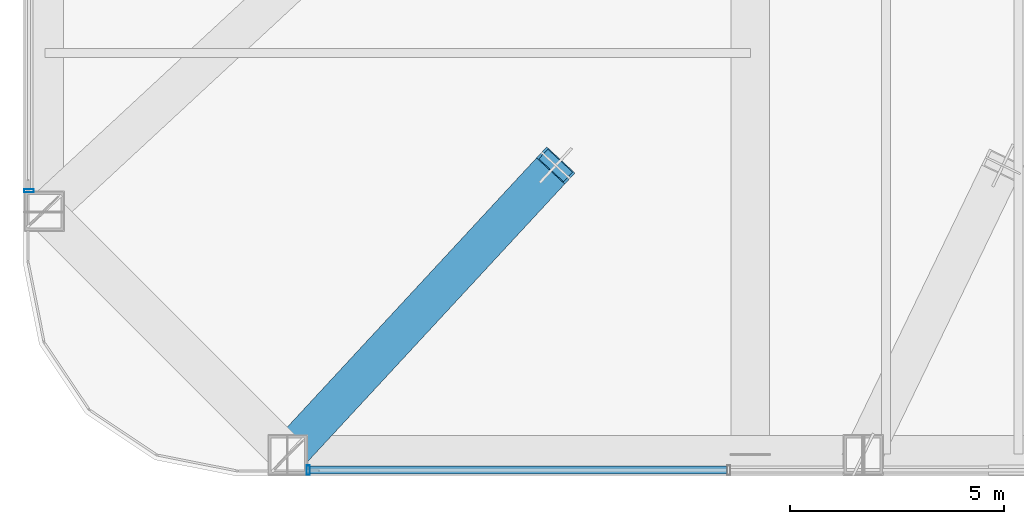
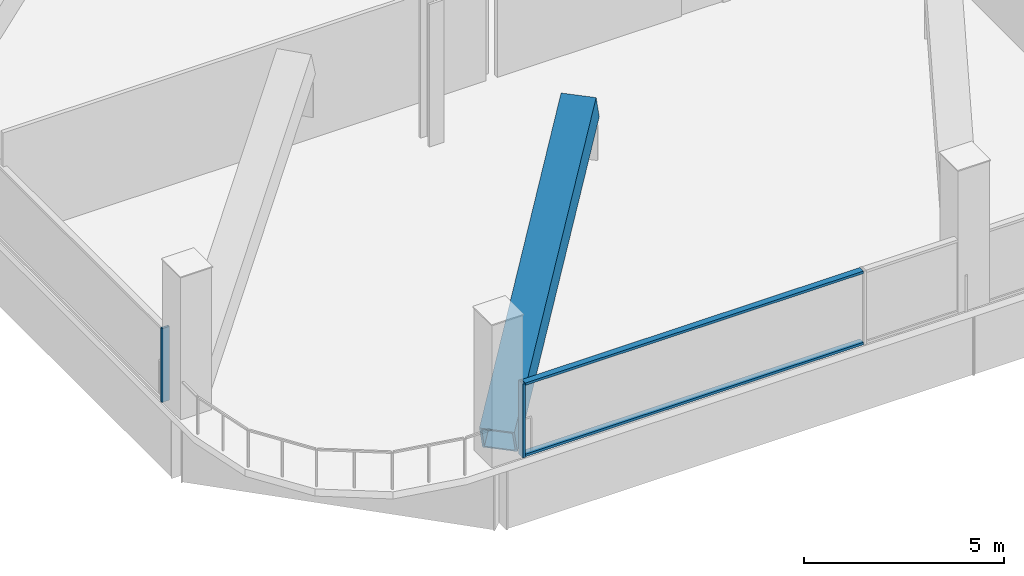
# One storey, part 2 of 38: 5 members, 2 elements without a shape of their own.
"""IFC4 building model written with IfcOpenShell, lengths in metres."""

import ifcopenshell
import ifcopenshell.guid

model = None  # the IFC model being written
_history = None  # IfcOwnerHistory: only IFC2X3 demands one
_inside = {}  # id of a spatial element -> (the spatial element, [elements in it])
_under = {}  # id of a project, library or spatial element -> (it, [spatial elements below it])
_declared = {}  # id of a project -> (the project, [libraries it declares])
_typed = {}  # id of a type object -> (the type object, [elements of that type])
_made_of = {}  # id of a material, layer set ... -> (it, [elements and type objects made of it])


def new_model(schema):
    """Start an empty IFC model of exactly this schema.

    Asked for "IFC4X3", IfcOpenShell would pick the latest addendum, in which some entities
    have other attributes; the version numbers below select the first issue.
    IFC2X3 requires an IfcOwnerHistory on every rooted entity: one is made here for all.
    """
    global model, _history
    if schema == "IFC4X3":
        model = ifcopenshell.file(schema_version=(4, 3, 0, 0))
    else:
        model = ifcopenshell.file(schema=schema)
    _inside.clear()
    _under.clear()
    _declared.clear()
    _typed.clear()
    _made_of.clear()
    _history = None
    if model.schema == "IFC2X3":
        org = make("IfcOrganization", Name="unknown")
        user = make(
            "IfcPersonAndOrganization",
            ThePerson=make("IfcPerson", FamilyName="unknown"),
            TheOrganization=org,
        )
        app = make(
            "IfcApplication",
            ApplicationDeveloper=org,
            Version="unknown",
            ApplicationFullName="unknown",
            ApplicationIdentifier="unknown",
        )
        _history = make(
            "IfcOwnerHistory",
            OwningUser=user,
            OwningApplication=app,
            ChangeAction="ADDED",
            CreationDate=0,
        )
    return model


def make(cls, **values):
    """One entity of the class cls with the attributes given. An attribute that is None is left unset."""
    return model.create_entity(
        cls, **{name: value for name, value in values.items() if value is not None}
    )


def rooted(cls, **values):
    """An entity with a GlobalId (a new one), such as an element, a storey or a relation."""
    return make(cls, GlobalId=ifcopenshell.guid.new(), OwnerHistory=_history, **values)


def si_unit(unit_type, name, prefix=None):
    """IfcSIUnit, for example si_unit("LENGTHUNIT", "METRE", prefix="MILLI")."""
    return make("IfcSIUnit", UnitType=unit_type, Prefix=prefix, Name=name)


def assignment(units):
    """IfcUnitAssignment: the units of a project."""
    return None if units is None else make("IfcUnitAssignment", Units=units)


def point(xyz):
    """IfcCartesianPoint."""
    return None if xyz is None else make("IfcCartesianPoint", Coordinates=xyz)


def direction(xyz):
    """IfcDirection."""
    return None if xyz is None else make("IfcDirection", DirectionRatios=xyz)


def frame(location, z_axis=None, x_axis=None):
    """IfcAxis2Placement3D, a coordinate frame: its origin and axes. An axis left out is left unset."""
    return make(
        "IfcAxis2Placement3D",
        Location=point(location),
        Axis=direction(z_axis),
        RefDirection=direction(x_axis),
    )


def frame_2d(location, x_axis=None):
    """IfcAxis2Placement2D, a coordinate frame in the plane: its origin and x axis."""
    return make(
        "IfcAxis2Placement2D", Location=point(location), RefDirection=direction(x_axis)
    )


def origin():
    """The frame at (0, 0, 0) with its axes left unset."""
    return frame((0.0, 0.0, 0.0))


def origin_2d():
    """The frame at (0, 0) in the plane with its x axis left unset."""
    return frame_2d((0.0, 0.0))


def place(relative_to, where):
    """IfcLocalPlacement: puts the frame where relative to a parent placement (None: the world)."""
    return make(
        "IfcLocalPlacement", PlacementRelTo=relative_to, RelativePlacement=where
    )


def context(
    kind, dimensions, precision=None, world=None, true_north=None, identifier=None
):
    """IfcGeometricRepresentationContext, for example the 3D "Model" context."""
    return make(
        "IfcGeometricRepresentationContext",
        ContextIdentifier=identifier,
        ContextType=kind,
        CoordinateSpaceDimension=dimensions,
        Precision=precision,
        WorldCoordinateSystem=world,
        TrueNorth=true_north,
    )


def subcontext(parent, identifier, kind, view, scale=None):
    """IfcGeometricRepresentationSubContext, for example "Body" below "Model"."""
    return make(
        "IfcGeometricRepresentationSubContext",
        ContextIdentifier=identifier,
        ContextType=kind,
        ParentContext=parent,
        TargetScale=scale,
        TargetView=view,
    )


def project(units=None, contexts=None):
    """IfcProject with its units and contexts."""
    return rooted(
        "IfcProject",
        Name="project",
        RepresentationContexts=contexts,
        UnitsInContext=assignment(units),
    )


def spatial(cls, under=None, at=None, **own):
    """A site, building, storey or space (cls), placed at a placement, below another one or the project."""
    s = rooted(cls, ObjectPlacement=at, **own)
    if under is not None:
        _under.setdefault(under.id(), (under, []))[1].append(s)
    return s


def profile(cls, at=None, kind="AREA", **sizes):
    """A parametric profile (cls). Its sizes go by their IFC names, for example OverallWidth=200.0."""
    return make(cls, ProfileType=kind, Position=at, **sizes)


def hollow_rectangle(**sizes):
    """IfcRectangleHollowProfileDef."""
    return profile("IfcRectangleHollowProfileDef", **sizes)


def extrude(swept, where, along, depth):
    """IfcExtrudedAreaSolid: the profile swept, set in the frame where, extruded along a direction by depth."""
    return make(
        "IfcExtrudedAreaSolid",
        SweptArea=swept,
        Position=where,
        ExtrudedDirection=direction(along),
        Depth=depth,
    )


def shape(context_of_items, identifier, shape_type, items):
    """IfcShapeRepresentation: the items that make up one representation, for example the "Body"."""
    return make(
        "IfcShapeRepresentation",
        ContextOfItems=context_of_items,
        RepresentationIdentifier=identifier,
        RepresentationType=shape_type,
        Items=items,
    )


def material(Name=None, Category=None):
    """IfcMaterial."""
    return make("IfcMaterial", Name=Name, Category=Category)


def layer(
    of_material, thickness, ventilated=None, Name=None, Category=None, Priority=None
):
    """IfcMaterialLayer: one layer of a wall or slab, of a material (None: an air gap)."""
    return make(
        "IfcMaterialLayer",
        Material=of_material,
        LayerThickness=thickness,
        IsVentilated=ventilated,
        Name=Name,
        Category=Category,
        Priority=Priority,
    )


def layer_set(layers, Name=None):
    """IfcMaterialLayerSet."""
    return make("IfcMaterialLayerSet", MaterialLayers=layers, LayerSetName=Name)


def material_profile(
    of_material, cross_section, Name=None, Category=None, Priority=None
):
    """IfcMaterialProfile: a cross section and its material."""
    return make(
        "IfcMaterialProfile",
        Name=Name,
        Material=of_material,
        Profile=cross_section,
        Priority=Priority,
        Category=Category,
    )


def profile_set(profiles, Name=None, composite=None):
    """IfcMaterialProfileSet."""
    return make(
        "IfcMaterialProfileSet",
        Name=Name,
        MaterialProfiles=profiles,
        CompositeProfile=composite,
    )


def made_of(thing, what):
    """Note that an element or type object is made of a material, layer set ...; save() writes the relation."""
    if what is not None:
        _made_of.setdefault(what.id(), (what, []))[1].append(thing)
    return thing


def type_object(cls, material=None, **own):
    """A type object (cls), such as IfcWallType, which elements share."""
    return made_of(rooted(cls, **own), material)


def element(
    cls,
    number,
    at=None,
    inside=None,
    cuts=None,
    type_object=None,
    material=None,
    context=None,
    identifier="Body",
    shape_type=None,
    held_by="IfcProductDefinitionShape",
    body=None,
    shapes=None,
    **own,
):
    """One element of the class cls, such as IfcWall. Its Tag is "e" and its number.

    at: its placement. inside: the storey or other place that contains it. cuts: it is an
    opening in that element (IfcRelVoidsElement). A single representation is given by context,
    identifier, shape_type and body (its items); several are given by shapes. held_by: the class
    of the entity that holds the representations. save() writes the other relations.
    """
    e = rooted(cls, Tag="e%d" % number, ObjectPlacement=at, **own)
    if body is not None:
        shapes = [shape(context, identifier, shape_type, body)]
    if shapes is not None:
        e.Representation = make(held_by, Representations=shapes)
    if inside is not None:
        _inside.setdefault(inside.id(), (inside, []))[1].append(e)
    if cuts is not None:
        rooted(
            "IfcRelVoidsElement", RelatingBuildingElement=cuts, RelatedOpeningElement=e
        )
    if type_object is not None:
        _typed.setdefault(type_object.id(), (type_object, []))[1].append(e)
    return made_of(e, material)


def aggregate(whole, parts):
    """IfcRelAggregates: a whole, such as a stair, and the parts it consists of."""
    return rooted("IfcRelAggregates", RelatingObject=whole, RelatedObjects=parts)


def save(model, path):
    """Write the relations noted so far, then the file.

    IfcRelAggregates (storeys below a building ...), IfcRelContainedInSpatialStructure (elements
    in a storey), IfcRelDefinesByType, IfcRelAssociatesMaterial and IfcRelDeclares: one each for
    every whole, place, type object, material and project.
    """
    for whole, parts in _under.values():
        aggregate(whole, parts)
    for where, things in _inside.values():
        rooted(
            "IfcRelContainedInSpatialStructure",
            RelatedElements=things,
            RelatingStructure=where,
        )
    for kind, things in _typed.values():
        rooted("IfcRelDefinesByType", RelatedObjects=things, RelatingType=kind)
    for what, things in _made_of.values():
        rooted("IfcRelAssociatesMaterial", RelatedObjects=things, RelatingMaterial=what)
    for by, libraries in _declared.values():
        rooted("IfcRelDeclares", RelatingContext=by, RelatedDefinitions=libraries)
    model.write(path)


model = new_model("IFC4")

# Units and contexts
model_context = context("Model", 3, precision=1e-05, world=origin(), true_north=direction((0.0, 1.0)))
body_context = subcontext(model_context, "Body", "Model", "MODEL_VIEW")
ifc_project = project(units=[si_unit("LENGTHUNIT", "METRE"), si_unit("AREAUNIT", "SQUARE_METRE"), si_unit("VOLUMEUNIT", "CUBIC_METRE"), si_unit("PLANEANGLEUNIT", "RADIAN"), si_unit("MASSUNIT", "GRAM", prefix="KILO")], contexts=[model_context])

# Site, building, storey
site_placement = place(None, origin())
site = spatial("IfcSite", under=ifc_project, at=site_placement, CompositionType="ELEMENT")
building_placement = place(site_placement, origin())
building = spatial("IfcBuilding", under=site, at=building_placement, Name="Qhalaya Broadcast Tower", CompositionType="ELEMENT")
storey_placement = place(building_placement, frame((0.0, 0.0, 53.550048828125)))
storey = spatial("IfcBuildingStorey", under=building, at=storey_placement, Name="L15", CompositionType="ELEMENT", Elevation=53.550048828125)

# Member
ifc_material_1 = material(Name="Structural Steel ASTM A572 Grade 50", Category="steel")
ifc_material_profile_1 = material_profile(ifc_material_1, hollow_rectangle(XDim=0.89990234375, YDim=0.89990234375, WallThickness=0.054931640625, at=origin_2d()), Name="BOX 900x900x55")
ifc_profile_set_1 = profile_set([ifc_material_profile_1], Name="Structural Steel ASTM A572 Grade 50")
member_type_1 = type_object("IfcMemberType", Name="Heavy Exoskeleton Transfer Strut RK1", PredefinedType="BRACE", material=ifc_profile_set_1)
member_1_placement = place(storey_placement, frame((-20.199951171875, -25.89990234375, 0.424072265625), z_axis=(0.625259693985, 0.675120758282, 0.391487262646), x_axis=(-0.73368055235, 0.679494552667, 0.0)))
element("IfcMember", 1, at=member_1_placement, inside=storey, type_object=member_type_1, Name="L15 Inclined Exoskeleton Transfer Strut 01", PredefinedType="BRACE", context=body_context, shape_type="SweptSolid", body=[
    extrude(hollow_rectangle(XDim=0.89990234375, YDim=0.89990234375, WallThickness=0.054931640625, at=origin_2d()), origin(), (0.0, 0.0, 1.0), 10.02783203125),
])

# Curtain wall, member
ifc_material_2 = material(Name="Fired Architectural Terracotta", Category="masonry")
ifc_layer = layer(ifc_material_2, 0.219970703125, Name="Fired Architectural Terracotta")
ifc_layer_set = layer_set([ifc_layer], Name="Fired Architectural Terracotta")
curtain_wall_type = type_object("IfcCurtainWallType", Name="Block-Cap Unitised Terracotta Spandrel Wall CW-07", PredefinedType="NOTDEFINED", material=ifc_layer_set)
curtain_wall_1_placement = place(storey_placement, origin())
curtain_wall_1 = element("IfcCurtainWall", 2, at=curtain_wall_1_placement, inside=storey, type_object=curtain_wall_type, Name="L15 Unitised Curtain Wall L15-CW-S", PredefinedType="NOTDEFINED")
ifc_material_3 = material(Name="Anodised Aluminium 6063-T6", Category="aluminium")
ifc_material_profile_2 = material_profile(ifc_material_3, hollow_rectangle(XDim=0.074951171875, YDim=0.219970703125, WallThickness=0.00390625, at=origin_2d()), Name="ALU-MUL 75x220x4")
ifc_profile_set_2 = profile_set([ifc_material_profile_2], Name="Anodised Aluminium 6063-T6")
member_type_2 = type_object("IfcMemberType", Name="Unitised Curtain-Wall Mullion M01", PredefinedType="MULLION", material=ifc_profile_set_2)
member_2_placement = place(storey_placement, frame((-19.724609375, -26.260009765625, 0.0), z_axis=(0.0, 0.0, 1.0), x_axis=(-1.0, 0.0, 0.0)))
member_2 = element("IfcMember", 3, at=member_2_placement, type_object=member_type_2, Name="CW-07 mullion 5", PredefinedType="MULLION", context=body_context, shape_type="SweptSolid", body=[
    extrude(hollow_rectangle(XDim=0.074951171875, YDim=0.219970703125, WallThickness=0.00390625, at=origin_2d()), origin(), (0.0, 0.0, 1.0), 2.25),
])

curtain_wall_2_placement = place(storey_placement, origin())
curtain_wall_2 = element("IfcCurtainWall", 4, at=curtain_wall_2_placement, inside=storey, type_object=curtain_wall_type, Name="L15 Unitised Curtain Wall L15-CW-W", PredefinedType="NOTDEFINED")
member_3_placement = place(storey_placement, frame((-26.260009765625, -19.724609375, 0.0), z_axis=(0.0, 0.0, 1.0), x_axis=(0.0, 1.0, 0.0)))
member_3 = element("IfcMember", 5, at=member_3_placement, type_object=member_type_2, Name="CW-07 mullion 1", PredefinedType="MULLION", context=body_context, shape_type="SweptSolid", body=[
    extrude(hollow_rectangle(XDim=0.074951171875, YDim=0.219970703125, WallThickness=0.00390625, at=origin_2d()), origin(), (0.0, 0.0, 1.0), 2.25),
])
aggregate(curtain_wall_2, [member_3])

# Member
ifc_material_profile_3 = material_profile(ifc_material_3, hollow_rectangle(XDim=0.074951171875, YDim=0.179931640625, WallThickness=0.00390625, at=origin_2d()), Name="ALU-TRN 75x180x4")
ifc_profile_set_3 = profile_set([ifc_material_profile_3], Name="Anodised Aluminium 6063-T6")
member_type_3 = type_object("IfcMemberType", Name="Unitised Curtain-Wall Transom T01", PredefinedType="USERDEFINED", material=ifc_profile_set_3)
member_4_placement = place(storey_placement, frame((-9.91845703125, -26.260009765625, 0.037353515625), z_axis=(-1.0, 0.0, 0.0), x_axis=(0.0, 0.0, 1.0)))
member_4 = element("IfcMember", 6, at=member_4_placement, type_object=member_type_3, Name="CW-07 transom 4.1", ObjectType="TRANSOM", PredefinedType="USERDEFINED", context=body_context, shape_type="SweptSolid", body=[
    extrude(hollow_rectangle(XDim=0.074951171875, YDim=0.179931640625, WallThickness=0.00390625, at=origin_2d()), origin(), (0.0, 0.0, 1.0), 9.7685546875),
])

member_5_placement = place(storey_placement, frame((-9.91845703125, -26.260009765625, 2.21240234375), z_axis=(-1.0, 0.0, 0.0), x_axis=(0.0, 0.0, 1.0)))
member_5 = element("IfcMember", 7, at=member_5_placement, type_object=member_type_3, Name="CW-07 transom 4.2", ObjectType="TRANSOM", PredefinedType="USERDEFINED", context=body_context, shape_type="SweptSolid", body=[
    extrude(hollow_rectangle(XDim=0.074951171875, YDim=0.179931640625, WallThickness=0.00390625, at=origin_2d()), origin(), (0.0, 0.0, 1.0), 9.7685546875),
])

aggregate(curtain_wall_1, [member_2, member_4, member_5])

save(model, "model.ifc")
